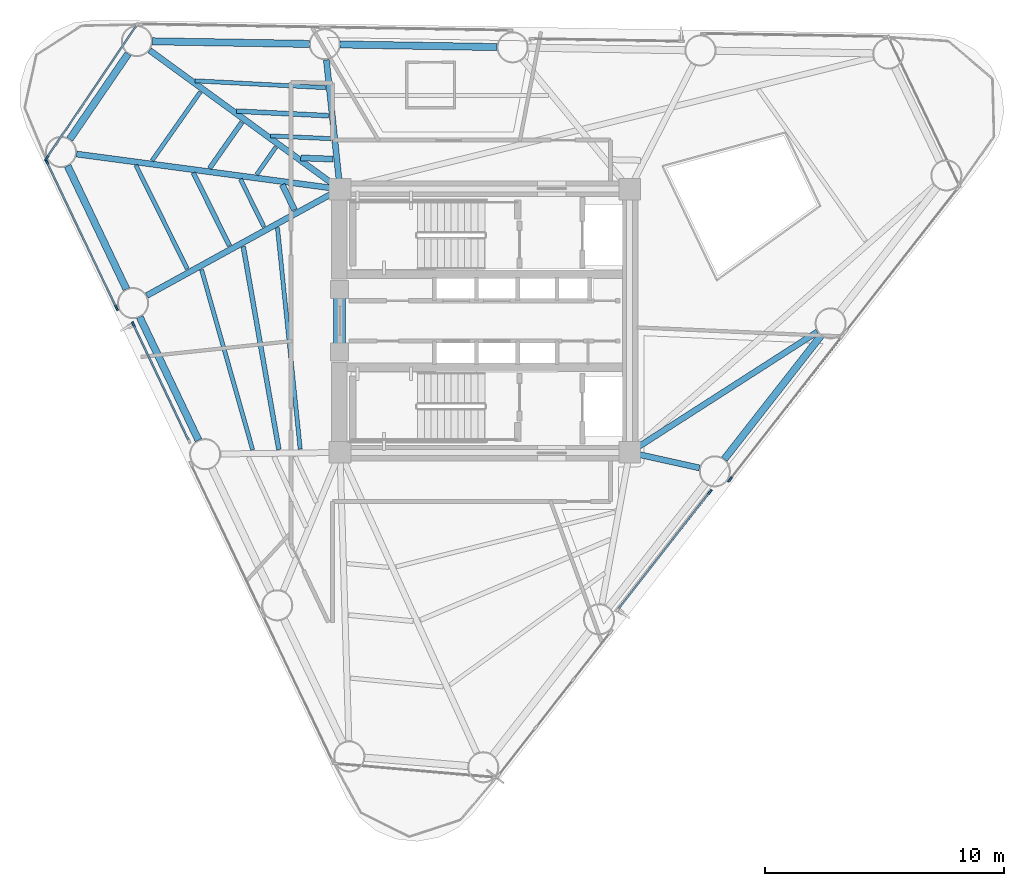
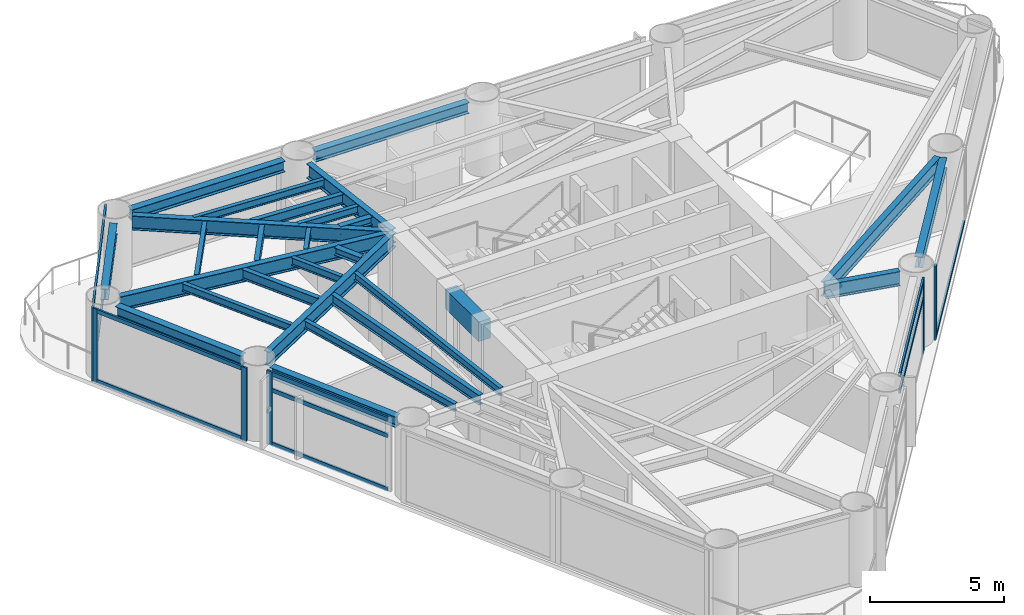
# One storey, part 3 of 10: 27 beams, 16 members, 5 elements without a shape of their own.
"""IFC4 building model written with IfcOpenShell, lengths in metres."""

from ifc_helpers import new_model, si_unit, direction, frame, origin, origin_2d, place, context, subcontext, project, spatial, rectangle, i_section, extrude, source, transform, mapped, material, layer, layer_set, material_profile, profile_set, type_object, element, aggregate, save


model = new_model("IFC4")

# Units and contexts
model_context = context("Model", 3, precision=1e-05, world=origin(), true_north=direction((0.0, 1.0)))
body_context = subcontext(model_context, "Body", "Model", "MODEL_VIEW")
ifc_project = project(units=[si_unit("LENGTHUNIT", "METRE"), si_unit("AREAUNIT", "SQUARE_METRE"), si_unit("VOLUMEUNIT", "CUBIC_METRE"), si_unit("PLANEANGLEUNIT", "RADIAN"), si_unit("MASSUNIT", "GRAM", prefix="KILO")], contexts=[model_context])

# Site, building, storey
site_placement = place(None, origin())
site = spatial("IfcSite", under=ifc_project, at=site_placement, CompositionType="ELEMENT")
building_placement = place(site_placement, origin())
building = spatial("IfcBuilding", under=site, at=building_placement, Name="Yunling Apex Tower", CompositionType="ELEMENT")
storey_placement = place(building_placement, frame((0.0, 0.0, 129.5)))
storey = spatial("IfcBuildingStorey", under=building, at=storey_placement, Name="L31", CompositionType="ELEMENT", Elevation=129.5)

# Beams
ifc_material_1 = material(Name="Concrete C50", Category="concrete")
ifc_material_profile_1 = material_profile(ifc_material_1, rectangle(XDim=0.5, YDim=0.89990234375, at=origin_2d()))
ifc_profile_set_1 = profile_set([ifc_material_profile_1], Name="Concrete C50")
beam_type_1 = type_object("IfcBeamType", Name="BC-CPL-2", PredefinedType="BEAM", material=ifc_profile_set_1)
shared_shape_1 = source(origin(), body_context, "Body", "SweptSolid", [
    extrude(rectangle(XDim=0.5, YDim=0.89990234375, at=origin_2d()), origin(), (0.0, 0.0, 1.0), 2.5),
])
beam_1_placement = place(storey_placement, frame((-6.074951171875, -1.25, 2.820068359375), z_axis=(0.0, 1.0, 0.0), x_axis=(-1.0, 0.0, 0.0)))
element("IfcBeam", 1, at=beam_1_placement, inside=storey, type_object=beam_type_1, Name="L31 Core West Portal Coupling Beam", PredefinedType="BEAM", context=body_context, shape_type="MappedRepresentation", body=[
    mapped(shared_shape_1, transform((0.0, 0.0, 0.0), scale=1.0)),
])
ifc_material_2 = material(Name="Steel Q355B", Category="steel")
ifc_material_profile_2 = material_profile(ifc_material_2, i_section(OverallWidth=0.300048828125, OverallDepth=0.489990234375, WebThickness=0.010986328125, FlangeThickness=0.01806640625, FilletRadius=0.02197265625, at=origin_2d()))
ifc_profile_set_2 = profile_set([ifc_material_profile_2], Name="Steel Q355B")
beam_type_2 = type_object("IfcBeamType", Name="BP-SPN-2", PredefinedType="SPANDREL", material=ifc_profile_set_2)
shared_shape_2 = source(origin(), body_context, "Body", "SweptSolid", [
    extrude(i_section(OverallWidth=0.300048828125, OverallDepth=0.489990234375, WebThickness=0.010986328125, FlangeThickness=0.01806640625, FilletRadius=0.02197265625, at=origin_2d()), origin(), (0.0, 0.0, 1.0), 6.562255859375),
])
beam_2_placement = place(storey_placement, frame((0.5166015625, 11.4375, 3.02490234375), z_axis=(-0.999859222118, 0.0167790329, 0.0), x_axis=(-0.0167790329, -0.999859222118, 0.0)))
element("IfcBeam", 2, at=beam_2_placement, inside=storey, type_object=beam_type_2, Name="L31 Perimeter Spandrel Beam 8", PredefinedType="SPANDREL", context=body_context, shape_type="MappedRepresentation", body=[
    mapped(shared_shape_2, transform((0.0, 0.0, 0.0), scale=1.0)),
])
shared_shape_3 = source(origin(), body_context, "Body", "SweptSolid", [
    extrude(i_section(OverallWidth=0.300048828125, OverallDepth=0.489990234375, WebThickness=0.010986328125, FlangeThickness=0.01806640625, FilletRadius=0.02197265625, at=origin_2d()), origin(), (0.0, 0.0, 1.0), 6.56201171875),
])
for number, where, z_axis, x_axis, name in (
    (3, (10.00732421875, -5.781982421875, 3.02490234375), (0.616233019323, 0.787563880518, 0.0), (-0.787563880518, 0.616233019323, 0.0), "L31 Perimeter Spandrel Beam 3"),
    (4, (-7.33251953125, 11.569091796875, 3.02490234375), (-0.999859211643, 0.016779657083, 0.0), (-0.016779657083, -0.999859211643, 0.0), "L31 Perimeter Spandrel Beam 9"),
):
    element("IfcBeam", number, at=place(storey_placement, frame(where, z_axis=z_axis, x_axis=x_axis)), inside=storey, type_object=beam_type_2, Name=name, PredefinedType="SPANDREL", context=body_context, shape_type="MappedRepresentation", body=[
        mapped(shared_shape_3, transform((0.0, 0.0, 0.0), scale=1.0)),
    ])
shared_shape_4 = source(origin(), body_context, "Body", "SweptSolid", [
    extrude(i_section(OverallWidth=0.300048828125, OverallDepth=0.489990234375, WebThickness=0.010986328125, FlangeThickness=0.01806640625, FilletRadius=0.02197265625, at=origin_2d()), origin(), (0.0, 0.0, 1.0), 4.328125),
])
beam_3_placement = place(storey_placement, frame((-14.901123046875, 11.158447265625, 3.02490234375), z_axis=(-0.564631339119, -0.825343232167, 0.0), x_axis=(0.825343232167, -0.564631339119, 0.0)))
element("IfcBeam", 5, at=beam_3_placement, inside=storey, type_object=beam_type_2, Name="L31 Perimeter Spandrel Beam 10", PredefinedType="SPANDREL", context=body_context, shape_type="MappedRepresentation", body=[
    mapped(shared_shape_4, transform((0.0, 0.0, 0.0), scale=1.0)),
])
shared_shape_5 = source(origin(), body_context, "Body", "SweptSolid", [
    extrude(i_section(OverallWidth=0.300048828125, OverallDepth=0.489990234375, WebThickness=0.010986328125, FlangeThickness=0.01806640625, FilletRadius=0.02197265625, at=origin_2d()), origin(), (0.0, 0.0, 1.0), 5.70751953125),
])
for number, where, z_axis, x_axis, name in (
    (6, (-17.431396484375, 6.473388671875, 3.02490234375), (0.430539541488, -0.902571716383, 0.0), (0.902571716383, 0.430539541488, 0.0), "L31 Perimeter Spandrel Beam 11"),
    (7, (-14.419677734375, 0.1591796875, 3.02490234375), (0.430539541488, -0.902571716383, 0.0), (0.902571716383, 0.430539541488, 0.0), "L31 Perimeter Spandrel Beam 12"),
):
    element("IfcBeam", number, at=place(storey_placement, frame(where, z_axis=z_axis, x_axis=x_axis)), inside=storey, type_object=beam_type_2, Name=name, PredefinedType="SPANDREL", context=body_context, shape_type="MappedRepresentation", body=[
        mapped(shared_shape_5, transform((0.0, 0.0, 0.0), scale=1.0)),
    ])
ifc_material_profile_3 = material_profile(ifc_material_2, i_section(OverallWidth=0.25, OverallDepth=0.64990234375, WebThickness=0.011962890625, FlangeThickness=0.02001953125, FilletRadius=0.02392578125, at=origin_2d()))
ifc_profile_set_3 = profile_set([ifc_material_profile_3], Name="Steel Q355B")
beam_type_3 = type_object("IfcBeamType", Name="BG-PRI-4", PredefinedType="USERDEFINED", material=ifc_profile_set_3)
shared_shape_6 = source(origin(), body_context, "Body", "SweptSolid", [
    extrude(i_section(OverallWidth=0.25, OverallDepth=0.64990234375, WebThickness=0.011962890625, FlangeThickness=0.02001953125, FilletRadius=0.02392578125, at=origin_2d()), origin(), (0.0, 0.0, 1.0), 2.908935546875),
])
beam_4_placement = place(storey_placement, frame((8.96826171875, -6.14697265625, 2.945068359375), z_axis=(-0.976295546219, 0.216441692917, 0.0), x_axis=(-0.216441692917, -0.976295546219, 0.0)))
element("IfcBeam", 8, at=beam_4_placement, inside=storey, type_object=beam_type_3, Name="L31 Radial Primary Girder R03", ObjectType="GIRDER", PredefinedType="USERDEFINED", context=body_context, shape_type="MappedRepresentation", body=[
    mapped(shared_shape_6, transform((0.0, 0.0, 0.0), scale=1.0)),
])
shared_shape_7 = source(origin(), body_context, "Body", "SweptSolid", [
    extrude(i_section(OverallWidth=0.25, OverallDepth=0.64990234375, WebThickness=0.011962890625, FlangeThickness=0.02001953125, FilletRadius=0.02392578125, at=origin_2d()), origin(), (0.0, 0.0, 1.0), 9.24267578125),
])
beam_5_placement = place(storey_placement, frame((13.894287109375, -0.46240234375, 2.945068359375), z_axis=(-0.841433276896, -0.540361027954, 0.0), x_axis=(0.540361027954, -0.841433276896, 0.0)))
element("IfcBeam", 9, at=beam_5_placement, inside=storey, type_object=beam_type_3, Name="L31 Radial Primary Girder R04", ObjectType="GIRDER", PredefinedType="USERDEFINED", context=body_context, shape_type="MappedRepresentation", body=[
    mapped(shared_shape_7, transform((0.0, 0.0, 0.0), scale=1.0)),
])
shared_shape_8 = source(origin(), body_context, "Body", "SweptSolid", [
    extrude(i_section(OverallWidth=0.25, OverallDepth=0.64990234375, WebThickness=0.011962890625, FlangeThickness=0.02001953125, FilletRadius=0.02392578125, at=origin_2d()), origin(), (0.0, 0.0, 1.0), 5.35400390625),
])
beam_6_placement = place(storey_placement, frame((-6.619384765625, 10.904052734375, 2.945068359375), z_axis=(0.104789227106, -0.99449445342, 0.0), x_axis=(0.99449445342, 0.104789227106, 0.0)))
element("IfcBeam", 10, at=beam_6_placement, inside=storey, type_object=beam_type_3, Name="L31 Radial Primary Girder R09", ObjectType="GIRDER", PredefinedType="USERDEFINED", context=body_context, shape_type="MappedRepresentation", body=[
    mapped(shared_shape_8, transform((0.0, 0.0, 0.0), scale=1.0)),
])
shared_shape_9 = source(origin(), body_context, "Body", "SweptSolid", [
    extrude(i_section(OverallWidth=0.25, OverallDepth=0.64990234375, WebThickness=0.011962890625, FlangeThickness=0.02001953125, FilletRadius=0.02392578125, at=origin_2d()), origin(), (0.0, 0.0, 1.0), 9.76708984375),
])
beam_7_placement = place(storey_placement, frame((-14.005859375, 11.30224609375, 2.945068359375), z_axis=(0.807958193343, -0.589239813497, 0.0), x_axis=(0.589239813497, 0.807958193343, 0.0)))
element("IfcBeam", 11, at=beam_7_placement, inside=storey, type_object=beam_type_3, Name="L31 Radial Primary Girder R10", ObjectType="GIRDER", PredefinedType="USERDEFINED", context=body_context, shape_type="MappedRepresentation", body=[
    mapped(shared_shape_9, transform((0.0, 0.0, 0.0), scale=1.0)),
])
shared_shape_10 = source(origin(), body_context, "Body", "SweptSolid", [
    extrude(i_section(OverallWidth=0.25, OverallDepth=0.64990234375, WebThickness=0.011962890625, FlangeThickness=0.02001953125, FilletRadius=0.02392578125, at=origin_2d()), origin(), (0.0, 0.0, 1.0), 11.023681640625),
])
beam_8_placement = place(storey_placement, frame((-17.056396484375, 6.9677734375, 2.945068359375), z_axis=(0.991223838358, -0.132194183952, 0.0), x_axis=(0.132194183952, 0.991223838358, 0.0)))
element("IfcBeam", 12, at=beam_8_placement, inside=storey, type_object=beam_type_3, Name="L31 Radial Primary Girder R11", ObjectType="GIRDER", PredefinedType="USERDEFINED", context=body_context, shape_type="MappedRepresentation", body=[
    mapped(shared_shape_10, transform((0.0, 0.0, 0.0), scale=1.0)),
])
shared_shape_11 = source(origin(), body_context, "Body", "SweptSolid", [
    extrude(i_section(OverallWidth=0.25, OverallDepth=0.64990234375, WebThickness=0.011962890625, FlangeThickness=0.02001953125, FilletRadius=0.02392578125, at=origin_2d()), origin(), (0.0, 0.0, 1.0), 9.132080078125),
])
beam_9_placement = place(storey_placement, frame((-14.120361328125, 1.057861328125, 2.945068359375), z_axis=(0.876057251214, 0.482207105501, 0.0), x_axis=(-0.482207105501, 0.876057251214, 0.0)))
element("IfcBeam", 13, at=beam_9_placement, inside=storey, type_object=beam_type_3, Name="L31 Radial Primary Girder R12", ObjectType="GIRDER", PredefinedType="USERDEFINED", context=body_context, shape_type="MappedRepresentation", body=[
    mapped(shared_shape_11, transform((0.0, 0.0, 0.0), scale=1.0)),
])
ifc_material_profile_4 = material_profile(ifc_material_2, i_section(OverallWidth=0.199951171875, OverallDepth=0.449951171875, WebThickness=0.009033203125, FlangeThickness=0.013916015625, FilletRadius=0.01806640625, at=origin_2d()))
ifc_profile_set_4 = profile_set([ifc_material_profile_4], Name="Steel Q355B")
beam_type_4 = type_object("IfcBeamType", Name="BS-SEC-3", PredefinedType="BEAM", material=ifc_profile_set_4)
shared_shape_12 = source(origin(), body_context, "Body", "SweptSolid", [
    extrude(i_section(OverallWidth=0.199951171875, OverallDepth=0.449951171875, WebThickness=0.009033203125, FlangeThickness=0.013916015625, FilletRadius=0.01806640625, at=origin_2d()), origin(), (0.0, 0.0, 1.0), 3.84619140625),
])
beam_10_placement = place(storey_placement, frame((-6.532470703125, 8.5693359375, 3.044921875), z_axis=(-0.998745046624, 0.050083249128, 0.0), x_axis=(-0.050083249128, -0.998745046624, 0.0)))
element("IfcBeam", 14, at=beam_10_placement, inside=storey, type_object=beam_type_4, Name="L31 Composite Floor Beam BS-9", PredefinedType="BEAM", context=body_context, shape_type="MappedRepresentation", body=[
    mapped(shared_shape_12, transform((0.0, 0.0, 0.0), scale=1.0)),
])
ifc_material_profile_5 = material_profile(ifc_material_2, i_section(OverallWidth=0.175048828125, OverallDepth=0.35009765625, WebThickness=0.007080078125, FlangeThickness=0.010986328125, FilletRadius=0.013916015625, at=origin_2d()))
ifc_profile_set_5 = profile_set([ifc_material_profile_5], Name="Steel Q355B")
beam_type_5 = type_object("IfcBeamType", Name="BJ-JST-1", PredefinedType="JOIST", material=ifc_profile_set_5)
shared_shape_13 = source(origin(), body_context, "Body", "SweptSolid", [
    extrude(i_section(OverallWidth=0.175048828125, OverallDepth=0.35009765625, WebThickness=0.007080078125, FlangeThickness=0.010986328125, FilletRadius=0.013916015625, at=origin_2d()), origin(), (0.0, 0.0, 1.0), 5.4619140625),
])
beam_11_placement = place(storey_placement, frame((-6.65576171875, 9.740966796875, 3.094970703125), z_axis=(-0.998619804272, 0.052521295825, 0.0), x_axis=(-0.052521295825, -0.998619804272, 0.0)))
element("IfcBeam", 15, at=beam_11_placement, inside=storey, type_object=beam_type_5, Name="L31 Composite Floor Joist BJ1-9", PredefinedType="JOIST", context=body_context, shape_type="MappedRepresentation", body=[
    mapped(shared_shape_13, transform((0.0, 0.0, 0.0), scale=1.0)),
])
shared_shape_14 = source(origin(), body_context, "Body", "SweptSolid", [
    extrude(i_section(OverallWidth=0.175048828125, OverallDepth=0.35009765625, WebThickness=0.007080078125, FlangeThickness=0.010986328125, FilletRadius=0.013916015625, at=origin_2d()), origin(), (0.0, 0.0, 1.0), 2.52490234375),
])
beam_12_placement = place(storey_placement, frame((-6.431396484375, 7.6103515625, 3.094970703125), z_axis=(-0.998935787548, 0.046122579679, 0.0), x_axis=(-0.046122579679, -0.998935787548, 0.0)))
element("IfcBeam", 16, at=beam_12_placement, inside=storey, type_object=beam_type_5, Name="L31 Composite Floor Joist BJ3-9", PredefinedType="JOIST", context=body_context, shape_type="MappedRepresentation", body=[
    mapped(shared_shape_14, transform((0.0, 0.0, 0.0), scale=1.0)),
])
ifc_material_profile_6 = material_profile(ifc_material_2, i_section(OverallWidth=0.25, OverallDepth=0.340087890625, WebThickness=0.009033203125, FlangeThickness=0.013916015625, FilletRadius=0.01806640625, at=origin_2d()))
ifc_profile_set_6 = profile_set([ifc_material_profile_6], Name="Steel Q355B")
beam_type_6 = type_object("IfcBeamType", Name="BJ-JST-2", PredefinedType="JOIST", material=ifc_profile_set_6)
shared_shape_15 = source(origin(), body_context, "Body", "SweptSolid", [
    extrude(i_section(OverallWidth=0.25, OverallDepth=0.340087890625, WebThickness=0.009033203125, FlangeThickness=0.013916015625, FilletRadius=0.01806640625, at=origin_2d()), origin(), (0.0, 0.0, 1.0), 1.35009765625),
])
beam_13_placement = place(storey_placement, frame((-6.341796875, 6.7568359375, 3.10009765625), z_axis=(-0.999299138543, 0.03743302962, 0.0), x_axis=(-0.03743302962, -0.999299138543, 0.0)))
element("IfcBeam", 17, at=beam_13_placement, inside=storey, type_object=beam_type_6, Name="L31 Composite Floor Joist BJ2-9", PredefinedType="JOIST", context=body_context, shape_type="MappedRepresentation", body=[
    mapped(shared_shape_15, transform((0.0, 0.0, 0.0), scale=1.0)),
])
shared_shape_16 = source(origin(), body_context, "Body", "SweptSolid", [
    extrude(i_section(OverallWidth=0.199951171875, OverallDepth=0.449951171875, WebThickness=0.009033203125, FlangeThickness=0.013916015625, FilletRadius=0.01806640625, at=origin_2d()), origin(), (0.0, 0.0, 1.0), 2.349365234375),
])
beam_14_placement = place(storey_placement, frame((-10.152099609375, 8.293701171875, 3.044921875), z_axis=(-0.574138652216, -0.818758088834, 0.0), x_axis=(0.818758088834, -0.574138652216, 0.0)))
element("IfcBeam", 18, at=beam_14_placement, inside=storey, type_object=beam_type_4, Name="L31 Composite Floor Beam BS-10", PredefinedType="BEAM", context=body_context, shape_type="MappedRepresentation", body=[
    mapped(shared_shape_16, transform((0.0, 0.0, 0.0), scale=1.0)),
])
shared_shape_17 = source(origin(), body_context, "Body", "SweptSolid", [
    extrude(i_section(OverallWidth=0.175048828125, OverallDepth=0.35009765625, WebThickness=0.007080078125, FlangeThickness=0.010986328125, FilletRadius=0.013916015625, at=origin_2d()), origin(), (0.0, 0.0, 1.0), 3.5068359375),
])
beam_15_placement = place(storey_placement, frame((-11.88818359375, 9.559814453125, 3.094970703125), z_axis=(-0.575031163817, -0.818131505712, 0.0), x_axis=(0.818131505712, -0.575031163817, 0.0)))
element("IfcBeam", 19, at=beam_15_placement, inside=storey, type_object=beam_type_5, Name="L31 Composite Floor Joist BJ1-10", PredefinedType="JOIST", context=body_context, shape_type="MappedRepresentation", body=[
    mapped(shared_shape_17, transform((0.0, 0.0, 0.0), scale=1.0)),
])
shared_shape_18 = source(origin(), body_context, "Body", "SweptSolid", [
    extrude(i_section(OverallWidth=0.175048828125, OverallDepth=0.35009765625, WebThickness=0.007080078125, FlangeThickness=0.010986328125, FilletRadius=0.013916015625, at=origin_2d()), origin(), (0.0, 0.0, 1.0), 1.40185546875),
])
beam_16_placement = place(storey_placement, frame((-8.7314453125, 7.257568359375, 3.094970703125), z_axis=(-0.572573774169, -0.819853202186, 0.0), x_axis=(0.819853202186, -0.572573774169, 0.0)))
element("IfcBeam", 20, at=beam_16_placement, inside=storey, type_object=beam_type_5, Name="L31 Composite Floor Joist BJ3-10", PredefinedType="JOIST", context=body_context, shape_type="MappedRepresentation", body=[
    mapped(shared_shape_18, transform((0.0, 0.0, 0.0), scale=1.0)),
])
shared_shape_19 = source(origin(), body_context, "Body", "SweptSolid", [
    extrude(i_section(OverallWidth=0.199951171875, OverallDepth=0.449951171875, WebThickness=0.009033203125, FlangeThickness=0.013916015625, FilletRadius=0.01806640625, at=origin_2d()), origin(), (0.0, 0.0, 1.0), 3.396484375),
])
beam_17_placement = place(storey_placement, frame((-12.177490234375, 6.18310546875, 3.044921875), z_axis=(0.443500732864, -0.896274009413, 0.0), x_axis=(0.896274009413, 0.443500732864, 0.0)))
element("IfcBeam", 21, at=beam_17_placement, inside=storey, type_object=beam_type_4, Name="L31 Composite Floor Beam BS-11", PredefinedType="BEAM", context=body_context, shape_type="MappedRepresentation", body=[
    mapped(shared_shape_19, transform((0.0, 0.0, 0.0), scale=1.0)),
])
shared_shape_20 = source(origin(), body_context, "Body", "SweptSolid", [
    extrude(i_section(OverallWidth=0.175048828125, OverallDepth=0.35009765625, WebThickness=0.007080078125, FlangeThickness=0.010986328125, FilletRadius=0.013916015625, at=origin_2d()), origin(), (0.0, 0.0, 1.0), 4.837890625),
])
beam_18_placement = place(storey_placement, frame((-14.581298828125, 6.50390625, 3.094970703125), z_axis=(0.444385383115, -0.895835716677, 0.0), x_axis=(0.895835716677, 0.444385383115, 0.0)))
element("IfcBeam", 22, at=beam_18_placement, inside=storey, type_object=beam_type_5, Name="L31 Composite Floor Joist BJ1-11", PredefinedType="JOIST", context=body_context, shape_type="MappedRepresentation", body=[
    mapped(shared_shape_20, transform((0.0, 0.0, 0.0), scale=1.0)),
])
shared_shape_21 = source(origin(), body_context, "Body", "SweptSolid", [
    extrude(i_section(OverallWidth=0.175048828125, OverallDepth=0.35009765625, WebThickness=0.007080078125, FlangeThickness=0.010986328125, FilletRadius=0.013916015625, at=origin_2d()), origin(), (0.0, 0.0, 1.0), 2.217529296875),
])
beam_19_placement = place(storey_placement, frame((-10.2109375, 5.9208984375, 3.094970703125), z_axis=(0.441921230905, -0.897053858848, 0.0), x_axis=(0.897053858848, 0.441921230905, 0.0)))
element("IfcBeam", 23, at=beam_19_placement, inside=storey, type_object=beam_type_5, Name="L31 Composite Floor Joist BJ3-11", PredefinedType="JOIST", context=body_context, shape_type="MappedRepresentation", body=[
    mapped(shared_shape_21, transform((0.0, 0.0, 0.0), scale=1.0)),
])
shared_shape_22 = source(origin(), body_context, "Body", "SweptSolid", [
    extrude(i_section(OverallWidth=0.25, OverallDepth=0.340087890625, WebThickness=0.009033203125, FlangeThickness=0.013916015625, FilletRadius=0.01806640625, at=origin_2d()), origin(), (0.0, 0.0, 1.0), 1.16943359375),
])
beam_20_placement = place(storey_placement, frame((-8.463134765625, 5.6875, 3.10009765625), z_axis=(0.438592252634, -0.898686172103, 0.0), x_axis=(0.898686172103, 0.438592252634, 0.0)))
element("IfcBeam", 24, at=beam_20_placement, inside=storey, type_object=beam_type_6, Name="L31 Composite Floor Joist BJ2-11", PredefinedType="JOIST", context=body_context, shape_type="MappedRepresentation", body=[
    mapped(shared_shape_22, transform((0.0, 0.0, 0.0), scale=1.0)),
])
shared_shape_23 = source(origin(), body_context, "Body", "SweptSolid", [
    extrude(i_section(OverallWidth=0.199951171875, OverallDepth=0.449951171875, WebThickness=0.009033203125, FlangeThickness=0.013916015625, FilletRadius=0.01806640625, at=origin_2d()), origin(), (0.0, 0.0, 1.0), 8.60693359375),
])
beam_21_placement = place(storey_placement, frame((-10.092529296875, 3.10205078125, 3.044921875), z_axis=(0.172691332669, -0.984975991393, 0.0), x_axis=(0.984975991393, 0.172691332669, 0.0)))
element("IfcBeam", 25, at=beam_21_placement, inside=storey, type_object=beam_type_4, Name="L31 Composite Floor Beam BS-12", PredefinedType="BEAM", context=body_context, shape_type="MappedRepresentation", body=[
    mapped(shared_shape_23, transform((0.0, 0.0, 0.0), scale=1.0)),
])
shared_shape_24 = source(origin(), body_context, "Body", "SweptSolid", [
    extrude(i_section(OverallWidth=0.175048828125, OverallDepth=0.35009765625, WebThickness=0.007080078125, FlangeThickness=0.010986328125, FilletRadius=0.013916015625, at=origin_2d()), origin(), (0.0, 0.0, 1.0), 7.82763671875),
])
beam_22_placement = place(storey_placement, frame((-11.836669921875, 2.136962890625, 3.094970703125), z_axis=(0.273002905438, -0.962013208653, 0.0), x_axis=(0.962013208653, 0.273002905438, 0.0)))
element("IfcBeam", 26, at=beam_22_placement, inside=storey, type_object=beam_type_5, Name="L31 Composite Floor Joist BJ1-12", PredefinedType="JOIST", context=body_context, shape_type="MappedRepresentation", body=[
    mapped(shared_shape_24, transform((0.0, 0.0, 0.0), scale=1.0)),
])
shared_shape_25 = source(origin(), body_context, "Body", "SweptSolid", [
    extrude(i_section(OverallWidth=0.175048828125, OverallDepth=0.35009765625, WebThickness=0.007080078125, FlangeThickness=0.010986328125, FilletRadius=0.013916015625, at=origin_2d()), origin(), (0.0, 0.0, 1.0), 9.303955078125),
])
beam_23_placement = place(storey_placement, frame((-8.663818359375, 3.89306640625, 3.094970703125), z_axis=(0.102153373674, -0.994768660668, 0.0), x_axis=(0.994768660668, 0.102153373674, 0.0)))
element("IfcBeam", 27, at=beam_23_placement, inside=storey, type_object=beam_type_5, Name="L31 Composite Floor Joist BJ3-12", PredefinedType="JOIST", context=body_context, shape_type="MappedRepresentation", body=[
    mapped(shared_shape_25, transform((0.0, 0.0, 0.0), scale=1.0)),
])

# Curtain wall, member
ifc_material_3 = material(Name="Bronze anodised aluminium", Category="aluminium")
ifc_layer = layer(ifc_material_3, 0.239990234375)
ifc_layer_set = layer_set([ifc_layer], Name="Bronze anodised aluminium")
curtain_wall_type = type_object("IfcCurtainWallType", Name="CW-SYS-3", PredefinedType="NOTDEFINED", material=ifc_layer_set)
curtain_wall_1_placement = place(storey_placement, origin())
curtain_wall_1 = element("IfcCurtainWall", 28, at=curtain_wall_1_placement, inside=storey, type_object=curtain_wall_type, Name="CW-L31-F1-B2", PredefinedType="NOTDEFINED")
ifc_material_profile_7 = material_profile(ifc_material_3, rectangle(XDim=0.080078125, YDim=0.239990234375, at=origin_2d()))
ifc_profile_set_7 = profile_set([ifc_material_profile_7], Name="Bronze anodised aluminium")
member_type_1 = type_object("IfcMemberType", Name="CW-MUL-3", PredefinedType="MULLION", material=ifc_profile_set_7)
shared_shape_26 = source(origin(), body_context, "Body", "SweptSolid", [
    extrude(rectangle(XDim=0.080078125, YDim=0.239990234375, at=origin_2d()), origin(), (0.0, 0.0, 1.0), 3.3701171875),
])
member_1_placement = place(storey_placement, frame((9.40283203125, -7.1552734375, -0.050048828125), z_axis=(0.0, 0.0, 1.0), x_axis=(-0.787590269126, 0.616199292419, 0.0)))
member_1 = element("IfcMember", 29, at=member_1_placement, type_object=member_type_1, Name="CW-SYS-3 mullion 2", PredefinedType="MULLION", context=body_context, shape_type="MappedRepresentation", body=[
    mapped(shared_shape_26, transform((0.0, 0.0, 0.0), scale=1.0)),
])

curtain_wall_2_placement = place(storey_placement, origin())
curtain_wall_2 = element("IfcCurtainWall", 30, at=curtain_wall_2_placement, inside=storey, type_object=curtain_wall_type, Name="CW-L31-F1-B3", PredefinedType="NOTDEFINED")
member_2_placement = place(storey_placement, frame((10.24365234375, -6.632080078125, -0.050048828125), z_axis=(0.0, 0.0, 1.0), x_axis=(-0.787583748686, 0.616207626377, 0.0)))
member_2 = element("IfcMember", 31, at=member_2_placement, type_object=member_type_1, Name="CW-SYS-3 mullion 1", PredefinedType="MULLION", context=body_context, shape_type="MappedRepresentation", body=[
    mapped(shared_shape_26, transform((0.0, 0.0, 0.0), scale=1.0)),
])

curtain_wall_3_placement = place(storey_placement, origin())
curtain_wall_3 = element("IfcCurtainWall", 32, at=curtain_wall_3_placement, inside=storey, type_object=curtain_wall_type, Name="CW-L31-CRN2", PredefinedType="NOTDEFINED")
member_3_placement = place(storey_placement, frame((-18.308837890625, 6.791015625, -0.050048828125), z_axis=(0.0, 0.0, 1.0), x_axis=(0.82813882115, -0.560523052964, 0.0)))
member_3 = element("IfcMember", 33, at=member_3_placement, type_object=member_type_1, Name="CW-SYS-3 mullion 2", PredefinedType="MULLION", context=body_context, shape_type="MappedRepresentation", body=[
    mapped(shared_shape_26, transform((0.0, 0.0, 0.0), scale=1.0)),
])

# Curtain wall, members
curtain_wall_4_placement = place(storey_placement, origin())
curtain_wall_4 = element("IfcCurtainWall", 34, at=curtain_wall_4_placement, inside=storey, type_object=curtain_wall_type, Name="CW-L31-F3-B1", PredefinedType="NOTDEFINED")
member_4_placement = place(storey_placement, frame((-18.297607421875, 6.640869140625, -0.050048828125), z_axis=(0.0, 0.0, 1.0), x_axis=(0.902587765133, 0.4305058957, 0.0)))
member_4 = element("IfcMember", 35, at=member_4_placement, type_object=member_type_1, Name="CW-SYS-3 mullion 1", PredefinedType="MULLION", context=body_context, shape_type="MappedRepresentation", body=[
    mapped(shared_shape_26, transform((0.0, 0.0, 0.0), scale=1.0)),
])
member_5_placement = place(storey_placement, frame((-15.389404296875, 0.543212890625, -0.050048828125), z_axis=(0.0, 0.0, 1.0), x_axis=(0.902587765133, 0.4305058957, 0.0)))
member_5 = element("IfcMember", 36, at=member_5_placement, type_object=member_type_1, Name="CW-SYS-3 mullion 2", PredefinedType="MULLION", context=body_context, shape_type="MappedRepresentation", body=[
    mapped(shared_shape_26, transform((0.0, 0.0, 0.0), scale=1.0)),
])

# Curtain wall, member
curtain_wall_5_placement = place(storey_placement, origin())
curtain_wall_5 = element("IfcCurtainWall", 37, at=curtain_wall_5_placement, inside=storey, type_object=curtain_wall_type, Name="CW-L31-F3-B2", PredefinedType="NOTDEFINED")
member_6_placement = place(storey_placement, frame((-14.68212890625, -0.14990234375, -0.050048828125), z_axis=(0.0, 0.0, 1.0), x_axis=(0.902579794247, 0.430522606859, 0.0)))
member_6 = element("IfcMember", 38, at=member_6_placement, type_object=member_type_1, Name="CW-SYS-3 mullion 1", PredefinedType="MULLION", context=body_context, shape_type="MappedRepresentation", body=[
    mapped(shared_shape_26, transform((0.0, 0.0, 0.0), scale=1.0)),
])

# Member
ifc_material_profile_8 = material_profile(ifc_material_3, rectangle(XDim=0.080078125, YDim=0.18505859375, at=origin_2d()))
ifc_profile_set_8 = profile_set([ifc_material_profile_8], Name="Bronze anodised aluminium")
member_type_2 = type_object("IfcMemberType", Name="CW-TRN-3", PredefinedType="USERDEFINED", material=ifc_profile_set_8)
shared_shape_27 = source(origin(), body_context, "Body", "SweptSolid", [
    extrude(rectangle(XDim=0.080078125, YDim=0.18505859375, at=origin_2d()), origin(), (0.0, 0.0, 1.0), 6.158203125),
])
member_7_placement = place(storey_placement, frame((5.5859375, -12.03369140625, 2.485107421875), z_axis=(0.616202427613, 0.787587816185, 0.0), x_axis=(-0.787587816185, 0.616202427613, 0.0)))
member_7 = element("IfcMember", 39, at=member_7_placement, type_object=member_type_2, Name="CW-SYS-3 transom 1.2", ObjectType="TRANSOM", PredefinedType="USERDEFINED", context=body_context, shape_type="MappedRepresentation", body=[
    mapped(shared_shape_27, transform((0.0, 0.0, 0.0), scale=1.0)),
])

member_8_placement = place(storey_placement, frame((5.5859375, -12.03369140625, 3.22998046875), z_axis=(0.616202427613, 0.787587816185, 0.0), x_axis=(-0.787587816185, 0.616202427613, 0.0)))
member_8 = element("IfcMember", 40, at=member_8_placement, type_object=member_type_2, Name="CW-SYS-3 transom 1.3", ObjectType="TRANSOM", PredefinedType="USERDEFINED", context=body_context, shape_type="MappedRepresentation", body=[
    mapped(shared_shape_27, transform((0.0, 0.0, 0.0), scale=1.0)),
])

aggregate(curtain_wall_1, [member_1, member_7, member_8])

shared_shape_28 = source(origin(), body_context, "Body", "SweptSolid", [
    extrude(rectangle(XDim=0.080078125, YDim=0.18505859375, at=origin_2d()), origin(), (0.0, 0.0, 1.0), 7.5380859375),
])
member_9_placement = place(storey_placement, frame((10.265869140625, -6.603759765625, 0.0400390625), z_axis=(0.616213940974, 0.787578808088, 0.0), x_axis=(-0.787578808088, 0.616213940974, 0.0)))
member_9 = element("IfcMember", 41, at=member_9_placement, type_object=member_type_2, Name="CW-SYS-3 transom 1.1", ObjectType="TRANSOM", PredefinedType="USERDEFINED", context=body_context, shape_type="MappedRepresentation", body=[
    mapped(shared_shape_28, transform((0.0, 0.0, 0.0), scale=1.0)),
])

aggregate(curtain_wall_2, [member_2, member_9])

shared_shape_29 = source(origin(), body_context, "Body", "SweptSolid", [
    extrude(rectangle(XDim=0.080078125, YDim=0.18505859375, at=origin_2d()), origin(), (0.0, 0.0, 1.0), 6.63671875),
])
member_10_placement = place(storey_placement, frame((-14.568603515625, 12.31689453125, 0.0400390625), z_axis=(-0.560543901892, -0.828124709239, 0.0), x_axis=(0.828124709239, -0.560543901892, 0.0)))
member_10 = element("IfcMember", 42, at=member_10_placement, type_object=member_type_2, Name="CW-SYS-3 transom 1.1", ObjectType="TRANSOM", PredefinedType="USERDEFINED", context=body_context, shape_type="MappedRepresentation", body=[
    mapped(shared_shape_29, transform((0.0, 0.0, 0.0), scale=1.0)),
])

member_11_placement = place(storey_placement, frame((-14.568603515625, 12.31689453125, 3.22998046875), z_axis=(-0.560543901892, -0.828124709239, 0.0), x_axis=(0.828124709239, -0.560543901892, 0.0)))
member_11 = element("IfcMember", 43, at=member_11_placement, type_object=member_type_2, Name="CW-SYS-3 transom 1.2", ObjectType="TRANSOM", PredefinedType="USERDEFINED", context=body_context, shape_type="MappedRepresentation", body=[
    mapped(shared_shape_29, transform((0.0, 0.0, 0.0), scale=1.0)),
])

aggregate(curtain_wall_3, [member_3, member_10, member_11])

shared_shape_30 = source(origin(), body_context, "Body", "SweptSolid", [
    extrude(rectangle(XDim=0.080078125, YDim=0.18505859375, at=origin_2d()), origin(), (0.0, 0.0, 1.0), 6.683837890625),
])
member_12_placement = place(storey_placement, frame((-18.2822265625, 6.6083984375, 0.0400390625), z_axis=(0.430509150299, -0.902586212785, 0.0), x_axis=(0.902586212785, 0.430509150299, 0.0)))
member_12 = element("IfcMember", 44, at=member_12_placement, type_object=member_type_2, Name="CW-SYS-3 transom 1.1", ObjectType="TRANSOM", PredefinedType="USERDEFINED", context=body_context, shape_type="MappedRepresentation", body=[
    mapped(shared_shape_30, transform((0.0, 0.0, 0.0), scale=1.0)),
])

member_13_placement = place(storey_placement, frame((-18.2822265625, 6.6083984375, 3.22998046875), z_axis=(0.430509150299, -0.902586212785, 0.0), x_axis=(0.902586212785, 0.430509150299, 0.0)))
member_13 = element("IfcMember", 45, at=member_13_placement, type_object=member_type_2, Name="CW-SYS-3 transom 1.2", ObjectType="TRANSOM", PredefinedType="USERDEFINED", context=body_context, shape_type="MappedRepresentation", body=[
    mapped(shared_shape_30, transform((0.0, 0.0, 0.0), scale=1.0)),
])

aggregate(curtain_wall_4, [member_4, member_5, member_12, member_13])

shared_shape_31 = source(origin(), body_context, "Body", "SweptSolid", [
    extrude(rectangle(XDim=0.080078125, YDim=0.18505859375, at=origin_2d()), origin(), (0.0, 0.0, 1.0), 5.303466796875),
])
member_14_placement = place(storey_placement, frame((-14.66650390625, -0.182373046875, 0.0400390625), z_axis=(0.43050887408, -0.902586344534, 0.0), x_axis=(0.902586344534, 0.43050887408, 0.0)))
member_14 = element("IfcMember", 46, at=member_14_placement, type_object=member_type_2, Name="CW-SYS-3 transom 1.1", ObjectType="TRANSOM", PredefinedType="USERDEFINED", context=body_context, shape_type="MappedRepresentation", body=[
    mapped(shared_shape_31, transform((0.0, 0.0, 0.0), scale=1.0)),
])

member_15_placement = place(storey_placement, frame((-14.66650390625, -0.182373046875, 2.485107421875), z_axis=(0.43050887408, -0.902586344534, 0.0), x_axis=(0.902586344534, 0.43050887408, 0.0)))
member_15 = element("IfcMember", 47, at=member_15_placement, type_object=member_type_2, Name="CW-SYS-3 transom 1.2", ObjectType="TRANSOM", PredefinedType="USERDEFINED", context=body_context, shape_type="MappedRepresentation", body=[
    mapped(shared_shape_31, transform((0.0, 0.0, 0.0), scale=1.0)),
])

member_16_placement = place(storey_placement, frame((-14.66650390625, -0.182373046875, 3.22998046875), z_axis=(0.43050887408, -0.902586344534, 0.0), x_axis=(0.902586344534, 0.43050887408, 0.0)))
member_16 = element("IfcMember", 48, at=member_16_placement, type_object=member_type_2, Name="CW-SYS-3 transom 1.3", ObjectType="TRANSOM", PredefinedType="USERDEFINED", context=body_context, shape_type="MappedRepresentation", body=[
    mapped(shared_shape_31, transform((0.0, 0.0, 0.0), scale=1.0)),
])

aggregate(curtain_wall_5, [member_6, member_14, member_15, member_16])

save(model, "model.ifc")
